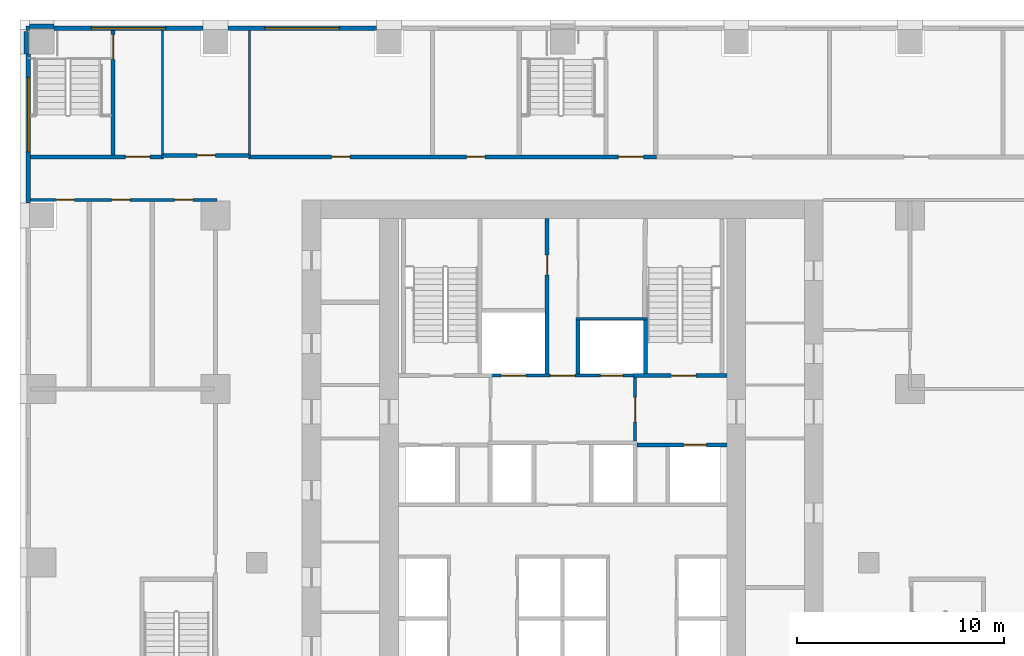
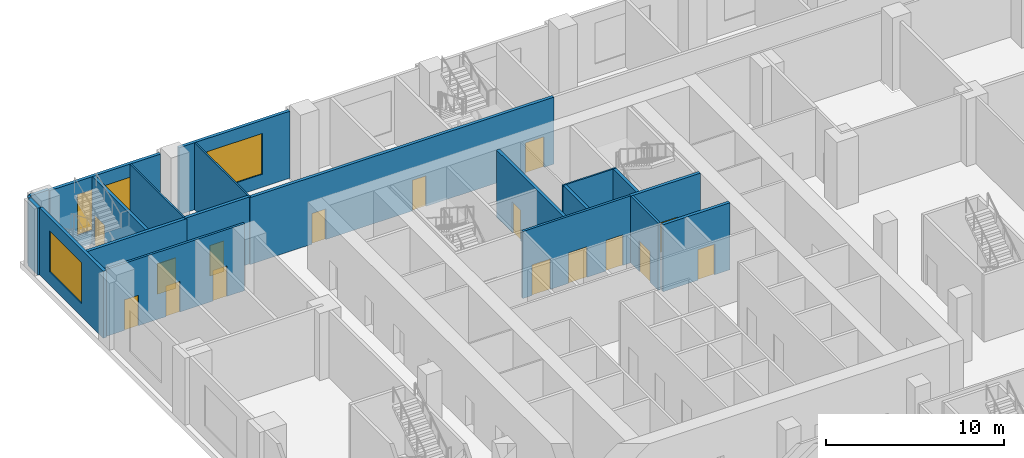
# One storey, part 8 of 23: 21 walls, 16 doors, 3 windows, 19 openings.
"""IFC4 building model written with IfcOpenShell, lengths in metres."""

from ifc_helpers import new_model, si_unit, direction, frame, frame_2d, origin, place, context, subcontext, project, spatial, rectangle, extrude, material, layer, layer_set, type_object, element, fill, save


model = new_model("IFC4")

# Units and contexts
model_context = context("Model", 3, precision=1e-05, world=origin(), true_north=direction((0.0, 1.0)))
body_context = subcontext(model_context, "Body", "Model", "MODEL_VIEW")
ifc_project = project(units=[si_unit("LENGTHUNIT", "METRE"), si_unit("AREAUNIT", "SQUARE_METRE"), si_unit("VOLUMEUNIT", "CUBIC_METRE"), si_unit("PLANEANGLEUNIT", "RADIAN"), si_unit("MASSUNIT", "GRAM", prefix="KILO")], contexts=[model_context])

# Site, building, storey
site_placement = place(None, origin())
site = spatial("IfcSite", under=ifc_project, at=site_placement, CompositionType="ELEMENT")
building_placement = place(site_placement, origin())
building = spatial("IfcBuilding", under=site, at=building_placement, Name="Vermilion Ogive Tower", CompositionType="ELEMENT")
storey_placement = place(building_placement, frame((0.0, 0.0, 20.0)))
storey = spatial("IfcBuildingStorey", under=building, at=storey_placement, Name="L03", CompositionType="ELEMENT", Elevation=20.0)

# Walls
ifc_material_1 = material(Name="Gypsum board partition on steel studs", Category="steel")
ifc_layer_1 = layer(ifc_material_1, 0.10009765625)
ifc_layer_set_1 = layer_set([ifc_layer_1], Name="Partition 100 bath")
wall_type_1 = type_object("IfcWallType", Name="Partition 100 bath", PredefinedType="PARTITIONING", material=ifc_layer_set_1)
for number, where, z_axis, x_axis, name in (
    (1, (-19.35009765625, 23.925048828125, 0.0), (0.0, 0.0, 1.0), (0.0, 1.0, 0.0), "L03-FS-W-W047"),
    (2, (-15.14990234375, 23.925048828125, 0.0), (0.0, 0.0, 1.0), (0.0, 1.0, 0.0), "L03-FS-W-W054"),
):
    element("IfcWall", number, at=place(storey_placement, frame(where, z_axis=z_axis, x_axis=x_axis)), inside=storey, type_object=wall_type_1, Name=name, PredefinedType="PARTITIONING", context=body_context, shape_type="SweptSolid", body=[
        extrude(rectangle(XDim=6.02490234375, YDim=0.10009765625, at=frame_2d((3.012451171875, 0.0))), origin(), (0.0, 0.0, 1.0), 4.60009765625),
    ])
wall_1_placement = place(storey_placement, frame((0.64990234375, 16.0, 0.0), z_axis=(0.0, 0.0, 1.0), x_axis=(1.0, 0.0, 0.0)))
element("IfcWall", 3, at=wall_1_placement, inside=storey, type_object=wall_type_1, Name="L03-CK-W-W020", PredefinedType="PARTITIONING", context=body_context, shape_type="SweptSolid", body=[
    extrude(rectangle(XDim=3.4501953125, YDim=0.10009765625, at=frame_2d((1.72509765625, 0.0))), origin(), (0.0, 0.0, 1.0), 4.60009765625),
])

# Wall, openings, doors
ifc_material_2 = material(Name="Gypsum board partition on steel studs", Category="steel")
ifc_layer_2 = layer(ifc_material_2, 0.14990234375)
ifc_layer_set_2 = layer_set([ifc_layer_2], Name="Partition 150 corridor")
wall_type_2 = type_object("IfcWallType", Name="Partition 150 corridor", PredefinedType="PARTITIONING", material=ifc_layer_set_2)
wall_2_placement = place(storey_placement, frame((-25.75, 21.75, 0.0), z_axis=(0.0, 0.0, 1.0), x_axis=(1.0, 0.0, 0.0)))
wall_2 = element("IfcWall", 4, at=wall_2_placement, inside=storey, type_object=wall_type_2, Name="L03-FS-W-W033", PredefinedType="PARTITIONING", context=body_context, shape_type="SweptSolid", body=[
    extrude(rectangle(XDim=9.02490234375, YDim=0.14990234375, at=frame_2d((4.512451171875, 0.0))), origin(), (0.0, 0.0, 1.0), 4.60009765625),
])
opening_1_placement = place(wall_2_placement, frame((1.22509765625, 0.0, 0.0)))
opening_1 = element("IfcOpeningElement", 5, at=opening_1_placement, cuts=wall_2, Name="Opening L03S019", PredefinedType="OPENING", context=body_context, shape_type="SweptSolid", body=[
    extrude(rectangle(XDim=0.89990234375, YDim=2.10009765625, at=frame_2d((0.449951171875, 1.050048828125))), frame((0.0, 0.0849609375, 0.0), z_axis=(0.0, -1.0, 0.0), x_axis=(1.0, 0.0, 0.0)), (0.0, 0.0, 1.0), 0.169921875),
])
opening_2_placement = place(wall_2_placement, frame((3.925048828125, 0.0, 0.0)))
opening_2 = element("IfcOpeningElement", 6, at=opening_2_placement, cuts=wall_2, Name="Opening L03S020", PredefinedType="OPENING", context=body_context, shape_type="SweptSolid", body=[
    extrude(rectangle(XDim=0.89990234375, YDim=2.10009765625, at=frame_2d((0.449951171875, 1.050048828125))), frame((0.0, 0.0849609375, 0.0), z_axis=(0.0, -1.0, 0.0), x_axis=(1.0, 0.0, 0.0)), (0.0, 0.0, 1.0), 0.169921875),
])
opening_3_placement = place(wall_2_placement, frame((6.97509765625, 0.0, 0.0)))
opening_3 = element("IfcOpeningElement", 7, at=opening_3_placement, cuts=wall_2, Name="Opening L03S021", PredefinedType="OPENING", context=body_context, shape_type="SweptSolid", body=[
    extrude(rectangle(XDim=0.89990234375, YDim=2.10009765625, at=frame_2d((0.449951171875, 1.050048828125))), frame((0.0, 0.0849609375, 0.0), z_axis=(0.0, -1.0, 0.0), x_axis=(1.0, 0.0, 0.0)), (0.0, 0.0, 1.0), 0.169921875),
])
ifc_material_3 = material(Name="Timber door leaf", Category="wood")
door_type_1 = type_object("IfcDoorType", Name="Room door 900 x 2100 FD30", OperationType="SINGLE_SWING_LEFT", PredefinedType="DOOR", material=ifc_material_3)
door_1_placement = place(opening_1_placement, origin())
door_1 = element("IfcDoor", 8, at=door_1_placement, inside=storey, type_object=door_type_1, Name="L03-FS-D-D019", OperationType="SINGLE_SWING_RIGHT", OverallHeight=2.10009765625, OverallWidth=0.89990234375, PredefinedType="DOOR", context=body_context, shape_type="SweptSolid", body=[
    extrude(rectangle(XDim=0.89990234375, YDim=2.10009765625, at=frame_2d((0.449951171875, 1.050048828125))), frame((0.0, 0.02490234375, 0.0), z_axis=(0.0, -1.0, 0.0), x_axis=(1.0, 0.0, 0.0)), (0.0, 0.0, 1.0), 0.050048828125),
])
fill(opening_1, door_1)
door_2_placement = place(opening_2_placement, origin())
door_2 = element("IfcDoor", 9, at=door_2_placement, inside=storey, type_object=door_type_1, Name="L03-FS-D-D020", OperationType="SINGLE_SWING_RIGHT", OverallHeight=2.10009765625, OverallWidth=0.89990234375, PredefinedType="DOOR", context=body_context, shape_type="SweptSolid", body=[
    extrude(rectangle(XDim=0.89990234375, YDim=2.10009765625, at=frame_2d((0.449951171875, 1.050048828125))), frame((0.0, 0.02490234375, 0.0), z_axis=(0.0, -1.0, 0.0), x_axis=(1.0, 0.0, 0.0)), (0.0, 0.0, 1.0), 0.050048828125),
])
fill(opening_2, door_2)
door_3_placement = place(opening_3_placement, origin())
door_3 = element("IfcDoor", 10, at=door_3_placement, inside=storey, type_object=door_type_1, Name="L03-FS-D-D021", OperationType="SINGLE_SWING_RIGHT", OverallHeight=2.10009765625, OverallWidth=0.89990234375, PredefinedType="DOOR", context=body_context, shape_type="SweptSolid", body=[
    extrude(rectangle(XDim=0.89990234375, YDim=2.10009765625, at=frame_2d((0.449951171875, 1.050048828125))), frame((0.0, 0.02490234375, 0.0), z_axis=(0.0, -1.0, 0.0), x_axis=(1.0, 0.0, 0.0)), (0.0, 0.0, 1.0), 0.050048828125),
])
fill(opening_3, door_3)

wall_3_placement = place(storey_placement, frame((-3.574951171875, 13.25, 0.0), z_axis=(0.0, 0.0, 1.0), x_axis=(1.0, 0.0, 0.0)))
wall_3 = element("IfcWall", 11, at=wall_3_placement, inside=storey, type_object=wall_type_2, Name="L03-CK-W-W018", PredefinedType="PARTITIONING", context=body_context, shape_type="SweptSolid", body=[
    extrude(rectangle(XDim=7.14990234375, YDim=0.14990234375, at=frame_2d((3.574951171875, 0.0))), origin(), (0.0, 0.0, 1.0), 4.60009765625),
])
opening_4_placement = place(wall_3_placement, frame((0.599853515625, 0.0, 0.0)))
opening_4 = element("IfcOpeningElement", 12, at=opening_4_placement, cuts=wall_3, Name="Opening DAB100", PredefinedType="OPENING", context=body_context, shape_type="SweptSolid", body=[
    extrude(rectangle(XDim=1.199951171875, YDim=2.10009765625, at=frame_2d((0.60009765625, 1.050048828125))), frame((0.0, 0.0849609375, 0.0), z_axis=(0.0, -1.0, 0.0), x_axis=(1.0, 0.0, 0.0)), (0.0, 0.0, 1.0), 0.169921875),
])
opening_5_placement = place(wall_3_placement, frame((5.39990234375, 0.0, 0.0)))
opening_5 = element("IfcOpeningElement", 13, at=opening_5_placement, cuts=wall_3, Name="Opening DAB091", PredefinedType="OPENING", context=body_context, shape_type="SweptSolid", body=[
    extrude(rectangle(XDim=1.10009765625, YDim=2.10009765625, at=frame_2d((0.550048828125, 1.050048828125))), frame((0.0, 0.0849609375, 0.0), z_axis=(0.0, -1.0, 0.0), x_axis=(1.0, 0.0, 0.0)), (0.0, 0.0, 1.0), 0.169921875),
])
opening_6_placement = place(wall_3_placement, frame((2.974853515625, 0.0, 0.0)))
opening_6 = element("IfcOpeningElement", 14, at=opening_6_placement, cuts=wall_3, Name="Opening DAB082", PredefinedType="OPENING", context=body_context, shape_type="SweptSolid", body=[
    extrude(rectangle(XDim=1.199951171875, YDim=2.10009765625, at=frame_2d((0.60009765625, 1.050048828125))), frame((0.0, 0.0849609375, 0.0), z_axis=(0.0, -1.0, 0.0), x_axis=(1.0, 0.0, 0.0)), (0.0, 0.0, 1.0), 0.169921875),
])
ifc_material_4 = material(Name="Stainless steel", Category="steel")
door_type_2 = type_object("IfcDoorType", Name="Lift landing door 1100 x 2100", OperationType="SLIDING_TO_LEFT", PredefinedType="DOOR", material=ifc_material_4)
door_4_placement = place(opening_5_placement, origin())
door_4 = element("IfcDoor", 15, at=door_4_placement, inside=storey, type_object=door_type_2, Name="L03-CK-D-D018", OperationType="SLIDING_TO_LEFT", OverallHeight=2.10009765625, OverallWidth=1.10009765625, PredefinedType="DOOR", context=body_context, shape_type="SweptSolid", body=[
    extrude(rectangle(XDim=1.10009765625, YDim=2.10009765625, at=frame_2d((0.550048828125, 1.050048828125))), frame((0.0, 0.02490234375, 0.0), z_axis=(0.0, -1.0, 0.0), x_axis=(1.0, 0.0, 0.0)), (0.0, 0.0, 1.0), 0.050048828125),
])
fill(opening_5, door_4)
ifc_material_5 = material(Name="Stainless steel", Category="steel")
door_type_3 = type_object("IfcDoorType", Name="Lift landing door 1200 x 2100", OperationType="SLIDING_TO_LEFT", PredefinedType="DOOR", material=ifc_material_5)
door_5_placement = place(opening_4_placement, origin())
door_5 = element("IfcDoor", 16, at=door_5_placement, inside=storey, type_object=door_type_3, Name="L03-CK-D-D017", OperationType="SLIDING_TO_RIGHT", OverallHeight=2.10009765625, OverallWidth=1.199951171875, PredefinedType="DOOR", context=body_context, shape_type="SweptSolid", body=[
    extrude(rectangle(XDim=1.199951171875, YDim=2.10009765625, at=frame_2d((0.60009765625, 1.050048828125))), frame((0.0, 0.02490234375, 0.0), z_axis=(0.0, -1.0, 0.0), x_axis=(1.0, 0.0, 0.0)), (0.0, 0.0, 1.0), 0.050048828125),
])
fill(opening_4, door_5)
ifc_material_6 = material(Name="Timber door leaf", Category="wood")
door_type_4 = type_object("IfcDoorType", Name="Service door 1200 x 2100 FD60", OperationType="SINGLE_SWING_LEFT", PredefinedType="DOOR", material=ifc_material_6)
door_6_placement = place(opening_6_placement, origin())
door_6 = element("IfcDoor", 17, at=door_6_placement, inside=storey, type_object=door_type_4, Name="L03-CK-D-D019", OperationType="SINGLE_SWING_RIGHT", OverallHeight=2.10009765625, OverallWidth=1.199951171875, PredefinedType="DOOR", context=body_context, shape_type="SweptSolid", body=[
    extrude(rectangle(XDim=1.199951171875, YDim=2.10009765625, at=frame_2d((0.60009765625, 1.050048828125))), frame((0.0, 0.02490234375, 0.0), z_axis=(0.0, -1.0, 0.0), x_axis=(1.0, 0.0, 0.0)), (0.0, 0.0, 1.0), 0.050048828125),
])
fill(opening_6, door_6)

# Wall, opening, door
wall_4_placement = place(storey_placement, frame((3.5, 10.074951171875, 0.0), z_axis=(0.0, 0.0, 1.0), x_axis=(0.0, 1.0, 0.0)))
wall_4 = element("IfcWall", 18, at=wall_4_placement, inside=storey, type_object=wall_type_2, Name="L03-CK-W-W036", PredefinedType="PARTITIONING", context=body_context, shape_type="SweptSolid", body=[
    extrude(rectangle(XDim=3.074951171875, YDim=0.14990234375, at=frame_2d((1.53759765625, 0.0))), origin(), (0.0, 0.0, 1.0), 4.60009765625),
])
opening_7_placement = place(wall_4_placement, frame((0.925048828125, 0.0, 0.0)))
opening_7 = element("IfcOpeningElement", 19, at=opening_7_placement, cuts=wall_4, Name="Opening DAB079", PredefinedType="OPENING", context=body_context, shape_type="SweptSolid", body=[
    extrude(rectangle(XDim=1.199951171875, YDim=2.10009765625, at=frame_2d((0.60009765625, 1.050048828125))), frame((0.0, 0.0849609375, 0.0), z_axis=(0.0, -1.0, 0.0), x_axis=(1.0, 0.0, 0.0)), (0.0, 0.0, 1.0), 0.169921875),
])
ifc_material_7 = material(Name="Timber door leaf", Category="wood")
door_type_5 = type_object("IfcDoorType", Name="Lobby door 1200 x 2100 FD60S", OperationType="SINGLE_SWING_LEFT", PredefinedType="DOOR", material=ifc_material_7)
door_7_placement = place(opening_7_placement, origin())
door_7 = element("IfcDoor", 20, at=door_7_placement, inside=storey, type_object=door_type_5, Name="L03-CK-D-D023", OperationType="SINGLE_SWING_LEFT", OverallHeight=2.10009765625, OverallWidth=1.199951171875, PredefinedType="DOOR", context=body_context, shape_type="SweptSolid", body=[
    extrude(rectangle(XDim=1.199951171875, YDim=2.10009765625, at=frame_2d((0.60009765625, 1.050048828125))), frame((0.0, 0.02490234375, 0.0), z_axis=(0.0, -1.0, 0.0), x_axis=(1.0, 0.0, 0.0)), (0.0, 0.0, 1.0), 0.050048828125),
])
fill(opening_7, door_7)

ifc_material_8 = material(Name="Gypsum board partition on steel studs", Category="steel")
ifc_layer_3 = layer(ifc_material_8, 0.199951171875)
ifc_layer_set_3 = layer_set([ifc_layer_3], Name="Partition 200 party")
wall_type_3 = type_object("IfcWallType", Name="Partition 200 party", PredefinedType="PARTITIONING", material=ifc_layer_set_3)
wall_5_placement = place(storey_placement, frame((3.60009765625, 9.89990234375, 0.0), z_axis=(0.0, 0.0, 1.0), x_axis=(1.0, 0.0, 0.0)))
wall_5 = element("IfcWall", 21, at=wall_5_placement, inside=storey, type_object=wall_type_3, Name="L03-CK-W-W015", PredefinedType="PARTITIONING", context=body_context, shape_type="SweptSolid", body=[
    extrude(rectangle(XDim=4.348876953125, YDim=0.199951171875, at=frame_2d((2.17431640625, 0.0))), origin(), (0.0, 0.0, 1.0), 4.60009765625),
])
opening_8_placement = place(wall_5_placement, frame((2.25, 0.0, 0.0)))
opening_8 = element("IfcOpeningElement", 22, at=opening_8_placement, cuts=wall_5, Name="Opening DAB090", PredefinedType="OPENING", context=body_context, shape_type="SweptSolid", body=[
    extrude(rectangle(XDim=1.10009765625, YDim=2.10009765625, at=frame_2d((0.550048828125, 1.050048828125))), frame((0.0, 0.10986328125, 0.0), z_axis=(0.0, -1.0, 0.0), x_axis=(1.0, 0.0, 0.0)), (0.0, 0.0, 1.0), 0.219970703125),
])
door_8_placement = place(opening_8_placement, origin())
door_8 = element("IfcDoor", 23, at=door_8_placement, inside=storey, type_object=door_type_2, Name="L03-CK-D-D014", OperationType="SLIDING_TO_LEFT", OverallHeight=2.10009765625, OverallWidth=1.10009765625, PredefinedType="DOOR", context=body_context, shape_type="SweptSolid", body=[
    extrude(rectangle(XDim=1.10009765625, YDim=2.10009765625, at=frame_2d((0.550048828125, 1.050048828125))), frame((0.0, 0.02490234375, 0.0), z_axis=(0.0, -1.0, 0.0), x_axis=(1.0, 0.0, 0.0)), (0.0, 0.0, 1.0), 0.050048828125),
])
fill(opening_8, door_8)

wall_6_placement = place(storey_placement, frame((-0.75, 13.324951171875, 0.0), z_axis=(0.0, 0.0, 1.0), x_axis=(0.0, 1.0, 0.0)))
wall_6 = element("IfcWall", 24, at=wall_6_placement, inside=storey, type_object=wall_type_3, Name="L03-CK-W-W029", PredefinedType="PARTITIONING", context=body_context, shape_type="SweptSolid", body=[
    extrude(rectangle(XDim=7.524169921875, YDim=0.199951171875, at=frame_2d((3.76220703125, 0.0))), origin(), (0.0, 0.0, 1.0), 4.60009765625),
])
opening_9_placement = place(wall_6_placement, frame((4.800048828125, 0.0, 0.0)))
opening_9 = element("IfcOpeningElement", 25, at=opening_9_placement, cuts=wall_6, Name="Opening DAB083", PredefinedType="OPENING", context=body_context, shape_type="SweptSolid", body=[
    extrude(rectangle(XDim=0.949951171875, YDim=2.10009765625, at=frame_2d((0.47509765625, 1.050048828125))), frame((0.0, 0.10986328125, 0.0), z_axis=(0.0, -1.0, 0.0), x_axis=(1.0, 0.0, 0.0)), (0.0, 0.0, 1.0), 0.219970703125),
])
ifc_material_9 = material(Name="Timber door leaf", Category="wood")
door_type_6 = type_object("IfcDoorType", Name="Service door 950 x 2100 FD60", OperationType="SINGLE_SWING_LEFT", PredefinedType="DOOR", material=ifc_material_9)
door_9_placement = place(opening_9_placement, origin())
door_9 = element("IfcDoor", 26, at=door_9_placement, inside=storey, type_object=door_type_6, Name="L03-CK-D-D020", OperationType="SINGLE_SWING_RIGHT", OverallHeight=2.10009765625, OverallWidth=0.949951171875, PredefinedType="DOOR", context=body_context, shape_type="SweptSolid", body=[
    extrude(rectangle(XDim=0.949951171875, YDim=2.10009765625, at=frame_2d((0.47509765625, 1.050048828125))), frame((0.0, 0.02490234375, 0.0), z_axis=(0.0, -1.0, 0.0), x_axis=(1.0, 0.0, 0.0)), (0.0, 0.0, 1.0), 0.050048828125),
])
fill(opening_9, door_9)

# Wall
wall_7_placement = place(storey_placement, frame((0.75, 13.324951171875, 0.0), z_axis=(0.0, 0.0, 1.0), x_axis=(0.0, 1.0, 0.0)))
element("IfcWall", 27, at=wall_7_placement, inside=storey, type_object=wall_type_3, Name="L03-CK-W-W031", PredefinedType="PARTITIONING", context=body_context, shape_type="SweptSolid", body=[
    extrude(rectangle(XDim=2.625, YDim=0.199951171875, at=frame_2d((1.3125, 0.0))), origin(), (0.0, 0.0, 1.0), 4.60009765625),
])

# Wall, opening, door
ifc_material_10 = material(Name="Concrete B60", Category="concrete")
ifc_layer_4 = layer(ifc_material_10, 0.199951171875)
ifc_layer_set_4 = layer_set([ifc_layer_4], Name="Stair shaft wall 200 Concrete B60")
wall_type_4 = type_object("IfcWallType", Name="Stair shaft wall 200 Concrete B60", PredefinedType="SOLIDWALL", material=ifc_layer_set_4)
wall_8_placement = place(storey_placement, frame((-25.75, 23.8251953125, 0.0), z_axis=(0.0, 0.0, 1.0), x_axis=(1.0, 0.0, 0.0)))
wall_8 = element("IfcWall", 28, at=wall_8_placement, inside=storey, type_object=wall_type_4, Name="L03-FS-W-W039", PredefinedType="SOLIDWALL", context=body_context, shape_type="SweptSolid", body=[
    extrude(rectangle(XDim=6.449951171875, YDim=0.199951171875, at=frame_2d((3.22509765625, 0.0))), origin(), (0.0, 0.0, 1.0), 4.60009765625),
])
opening_10_placement = place(wall_8_placement, frame((4.60009765625, 0.0, 0.0)))
opening_10 = element("IfcOpeningElement", 29, at=opening_10_placement, cuts=wall_8, Name="Opening L03S010", PredefinedType="OPENING", context=body_context, shape_type="SweptSolid", body=[
    extrude(rectangle(XDim=1.199951171875, YDim=2.10009765625, at=frame_2d((0.60009765625, 1.050048828125))), frame((0.0, 0.10986328125, 0.0), z_axis=(0.0, -1.0, 0.0), x_axis=(1.0, 0.0, 0.0)), (0.0, 0.0, 1.0), 0.219970703125),
])
ifc_material_11 = material(Name="Timber door leaf", Category="wood")
door_type_7 = type_object("IfcDoorType", Name="Stair door 1200 x 2100 FD60S", OperationType="SINGLE_SWING_LEFT", PredefinedType="DOOR", material=ifc_material_11)
door_10_placement = place(opening_10_placement, origin())
door_10 = element("IfcDoor", 30, at=door_10_placement, inside=storey, type_object=door_type_7, Name="L03-FS-D-D010", OperationType="SINGLE_SWING_LEFT", OverallHeight=2.10009765625, OverallWidth=1.199951171875, PredefinedType="DOOR", context=body_context, shape_type="SweptSolid", body=[
    extrude(rectangle(XDim=1.199951171875, YDim=2.10009765625, at=frame_2d((0.60009765625, 1.050048828125))), frame((0.0, 0.02490234375, 0.0), z_axis=(0.0, -1.0, 0.0), x_axis=(1.0, 0.0, 0.0)), (0.0, 0.0, 1.0), 0.050048828125),
])
fill(opening_10, door_10)

wall_9_placement = place(storey_placement, frame((-19.39990234375, 23.900146484375, 0.0), z_axis=(0.0, 0.0, 1.0), x_axis=(1.0, 0.0, 0.0)))
wall_9 = element("IfcWall", 31, at=wall_9_placement, inside=storey, type_object=wall_type_4, Name="L03-FS-W-W040", PredefinedType="SOLIDWALL", context=body_context, shape_type="SweptSolid", body=[
    extrude(rectangle(XDim=4.2998046875, YDim=0.199951171875, at=frame_2d((2.14990234375, 0.0))), origin(), (0.0, 0.0, 1.0), 4.60009765625),
])
opening_11_placement = place(wall_9_placement, frame((1.699951171875, 0.0, 0.0)))
opening_11 = element("IfcOpeningElement", 32, at=opening_11_placement, cuts=wall_9, Name="Opening L03S046", PredefinedType="OPENING", context=body_context, shape_type="SweptSolid", body=[
    extrude(rectangle(XDim=0.89990234375, YDim=2.10009765625, at=frame_2d((0.449951171875, 1.050048828125))), frame((0.0, 0.10986328125, 0.0), z_axis=(0.0, -1.0, 0.0), x_axis=(1.0, 0.0, 0.0)), (0.0, 0.0, 1.0), 0.219970703125),
])
door_11_placement = place(opening_11_placement, origin())
door_11 = element("IfcDoor", 33, at=door_11_placement, inside=storey, type_object=door_type_1, Name="L03-FS-D-D046", OperationType="SINGLE_SWING_RIGHT", OverallHeight=2.10009765625, OverallWidth=0.89990234375, PredefinedType="DOOR", context=body_context, shape_type="SweptSolid", body=[
    extrude(rectangle(XDim=0.89990234375, YDim=2.10009765625, at=frame_2d((0.449951171875, 1.050048828125))), frame((0.0, 0.02490234375, 0.0), z_axis=(0.0, -1.0, 0.0), x_axis=(1.0, 0.0, 0.0)), (0.0, 0.0, 1.0), 0.050048828125),
])
fill(opening_11, door_11)

# Wall, openings, doors
wall_10_placement = place(storey_placement, frame((-15.199951171875, 23.8251953125, 0.0), z_axis=(0.0, 0.0, 1.0), x_axis=(1.0, 0.0, 0.0)))
wall_10 = element("IfcWall", 34, at=wall_10_placement, inside=storey, type_object=wall_type_4, Name="L03-FS-W-W041", PredefinedType="SOLIDWALL", context=body_context, shape_type="SweptSolid", body=[
    extrude(rectangle(XDim=19.75, YDim=0.199951171875, at=frame_2d((9.875, 0.0))), origin(), (0.0, 0.0, 1.0), 4.60009765625),
])
opening_12_placement = place(wall_10_placement, frame((17.89990234375, 0.0, 0.0)))
opening_12 = element("IfcOpeningElement", 35, at=opening_12_placement, cuts=wall_10, Name="Opening L03S014", PredefinedType="OPENING", context=body_context, shape_type="SweptSolid", body=[
    extrude(rectangle(XDim=1.199951171875, YDim=2.10009765625, at=frame_2d((0.60009765625, 1.050048828125))), frame((0.0, 0.10986328125, 0.0), z_axis=(0.0, -1.0, 0.0), x_axis=(1.0, 0.0, 0.0)), (0.0, 0.0, 1.0), 0.219970703125),
])
opening_13_placement = place(wall_10_placement, frame((4.02490234375, 0.0, 0.0)))
opening_13 = element("IfcOpeningElement", 36, at=opening_13_placement, cuts=wall_10, Name="Opening L03S047", PredefinedType="OPENING", context=body_context, shape_type="SweptSolid", body=[
    extrude(rectangle(XDim=0.89990234375, YDim=2.10009765625, at=frame_2d((0.449951171875, 1.050048828125))), frame((0.0, 0.10986328125, 0.0), z_axis=(0.0, -1.0, 0.0), x_axis=(1.0, 0.0, 0.0)), (0.0, 0.0, 1.0), 0.219970703125),
])
opening_14_placement = place(wall_10_placement, frame((10.550048828125, 0.0, 0.0)))
opening_14 = element("IfcOpeningElement", 37, at=opening_14_placement, cuts=wall_10, Name="Opening L03S048", PredefinedType="OPENING", context=body_context, shape_type="SweptSolid", body=[
    extrude(rectangle(XDim=0.89990234375, YDim=2.10009765625, at=frame_2d((0.449951171875, 1.050048828125))), frame((0.0, 0.10986328125, 0.0), z_axis=(0.0, -1.0, 0.0), x_axis=(1.0, 0.0, 0.0)), (0.0, 0.0, 1.0), 0.219970703125),
])
door_12_placement = place(opening_13_placement, origin())
door_12 = element("IfcDoor", 38, at=door_12_placement, inside=storey, type_object=door_type_1, Name="L03-FS-D-D047", OperationType="SINGLE_SWING_LEFT", OverallHeight=2.10009765625, OverallWidth=0.89990234375, PredefinedType="DOOR", context=body_context, shape_type="SweptSolid", body=[
    extrude(rectangle(XDim=0.89990234375, YDim=2.10009765625, at=frame_2d((0.449951171875, 1.050048828125))), frame((0.0, 0.02490234375, 0.0), z_axis=(0.0, -1.0, 0.0), x_axis=(1.0, 0.0, 0.0)), (0.0, 0.0, 1.0), 0.050048828125),
])
fill(opening_13, door_12)
door_13_placement = place(opening_14_placement, origin())
door_13 = element("IfcDoor", 39, at=door_13_placement, inside=storey, type_object=door_type_1, Name="L03-FS-D-D048", OperationType="SINGLE_SWING_RIGHT", OverallHeight=2.10009765625, OverallWidth=0.89990234375, PredefinedType="DOOR", context=body_context, shape_type="SweptSolid", body=[
    extrude(rectangle(XDim=0.89990234375, YDim=2.10009765625, at=frame_2d((0.449951171875, 1.050048828125))), frame((0.0, 0.02490234375, 0.0), z_axis=(0.0, -1.0, 0.0), x_axis=(1.0, 0.0, 0.0)), (0.0, 0.0, 1.0), 0.050048828125),
])
fill(opening_14, door_13)
door_14_placement = place(opening_12_placement, origin())
door_14 = element("IfcDoor", 40, at=door_14_placement, inside=storey, type_object=door_type_7, Name="L03-FS-D-D014", OperationType="SINGLE_SWING_RIGHT", OverallHeight=2.10009765625, OverallWidth=1.199951171875, PredefinedType="DOOR", context=body_context, shape_type="SweptSolid", body=[
    extrude(rectangle(XDim=1.199951171875, YDim=2.10009765625, at=frame_2d((0.60009765625, 1.050048828125))), frame((0.0, 0.02490234375, 0.0), z_axis=(0.0, -1.0, 0.0), x_axis=(1.0, 0.0, 0.0)), (0.0, 0.0, 1.0), 0.050048828125),
])
fill(opening_12, door_14)

# Wall, opening, door
wall_11_placement = place(storey_placement, frame((-21.75, 23.925048828125, 0.0), z_axis=(0.0, 0.0, 1.0), x_axis=(0.0, 1.0, 0.0)))
wall_11 = element("IfcWall", 41, at=wall_11_placement, inside=storey, type_object=wall_type_4, Name="L03-FS-W-W045", PredefinedType="SOLIDWALL", context=body_context, shape_type="SweptSolid", body=[
    extrude(rectangle(XDim=6.02490234375, YDim=0.199951171875, at=frame_2d((3.012451171875, 0.0))), origin(), (0.0, 0.0, 1.0), 4.60009765625),
])
opening_15_placement = place(wall_11_placement, frame((4.625, 0.0, 0.0)))
opening_15 = element("IfcOpeningElement", 42, at=opening_15_placement, cuts=wall_11, Name="Opening L03S001", PredefinedType="OPENING", context=body_context, shape_type="SweptSolid", body=[
    extrude(rectangle(XDim=1.199951171875, YDim=2.10009765625, at=frame_2d((0.60009765625, 1.050048828125))), frame((0.0, 0.10986328125, 0.0), z_axis=(0.0, -1.0, 0.0), x_axis=(1.0, 0.0, 0.0)), (0.0, 0.0, 1.0), 0.219970703125),
])
door_15_placement = place(opening_15_placement, origin())
door_15 = element("IfcDoor", 43, at=door_15_placement, inside=storey, type_object=door_type_7, Name="L03-FS-D-D001", OperationType="DOUBLE_DOOR_SINGLE_SWING", OverallHeight=2.10009765625, OverallWidth=1.199951171875, PredefinedType="DOOR", context=body_context, shape_type="SweptSolid", body=[
    extrude(rectangle(XDim=1.199951171875, YDim=2.10009765625, at=frame_2d((0.60009765625, 1.050048828125))), frame((0.0, 0.02490234375, 0.0), z_axis=(0.0, -1.0, 0.0), x_axis=(1.0, 0.0, 0.0)), (0.0, 0.0, 1.0), 0.050048828125),
])
fill(opening_15, door_15)

# Wall, opening, window
wall_12_placement = place(storey_placement, frame((-24.60009765625, 30.050048828125, 0.0), z_axis=(0.0, 0.0, 1.0), x_axis=(1.0, 0.0, 0.0)))
wall_12 = element("IfcWall", 44, at=wall_12_placement, inside=storey, type_object=wall_type_4, Name="Window wall N9", PredefinedType="SOLIDWALL", context=body_context, shape_type="SweptSolid", body=[
    extrude(rectangle(XDim=7.2001953125, YDim=0.199951171875, at=frame_2d((3.60009765625, 0.0))), origin(), (0.0, 0.0, 1.0), 4.60009765625),
])
opening_16_placement = place(wall_12_placement, frame((1.800048828125, 0.0, 0.89990234375)))
opening_16 = element("IfcOpeningElement", 45, at=opening_16_placement, cuts=wall_12, Name="Opening P-N9", PredefinedType="OPENING", context=body_context, shape_type="SweptSolid", body=[
    extrude(rectangle(XDim=3.60009765625, YDim=2.800048828125, at=frame_2d((1.800048828125, 1.39990234375))), frame((0.0, 0.10986328125, 0.0), z_axis=(0.0, -1.0, 0.0), x_axis=(1.0, 0.0, 0.0)), (0.0, 0.0, 1.0), 0.219970703125),
])
ifc_material_12 = material(Name="Aluminium framed double glazing", Category="aluminium")
window_type = type_object("IfcWindowType", Name="Podium window P 3600x2800 sill 900", PartitioningType="SINGLE_PANEL", PredefinedType="WINDOW", material=ifc_material_12)
window_1_placement = place(opening_16_placement, origin())
window_1 = element("IfcWindow", 46, at=window_1_placement, inside=storey, type_object=window_type, Name="Window N9", OverallHeight=2.800048828125, OverallWidth=3.60009765625, PartitioningType="SINGLE_PANEL", PredefinedType="WINDOW", context=body_context, shape_type="SweptSolid", body=[
    extrude(rectangle(XDim=3.60009765625, YDim=2.800048828125, at=frame_2d((1.800048828125, 1.39990234375))), frame((0.0, 0.030029296875, 0.0), z_axis=(0.0, -1.0, 0.0), x_axis=(1.0, 0.0, 0.0)), (0.0, 0.0, 1.0), 0.06005859375),
])
fill(opening_16, window_1)

wall_13_placement = place(storey_placement, frame((-25.85009765625, 21.60009765625, 0.0), z_axis=(0.0, 0.0, 1.0), x_axis=(0.0, 1.0, 0.0)))
wall_13 = element("IfcWall", 47, at=wall_13_placement, inside=storey, type_object=wall_type_4, Name="Window wall W1", PredefinedType="SOLIDWALL", context=body_context, shape_type="SweptSolid", body=[
    extrude(rectangle(XDim=7.199951171875, YDim=0.199951171875, at=frame_2d((3.60009765625, 0.0))), origin(), (0.0, 0.0, 1.0), 4.60009765625),
])
opening_17_placement = place(wall_13_placement, frame((2.469970703125, 0.0, 0.89990234375)))
opening_17 = element("IfcOpeningElement", 48, at=opening_17_placement, cuts=wall_13, Name="Opening P-W1", PredefinedType="OPENING", context=body_context, shape_type="SweptSolid", body=[
    extrude(rectangle(XDim=3.60009765625, YDim=2.800048828125, at=frame_2d((1.800048828125, 1.39990234375))), frame((0.0, 0.10986328125, 0.0), z_axis=(0.0, -1.0, 0.0), x_axis=(1.0, 0.0, 0.0)), (0.0, 0.0, 1.0), 0.219970703125),
])
window_2_placement = place(opening_17_placement, origin())
window_2 = element("IfcWindow", 49, at=window_2_placement, inside=storey, type_object=window_type, Name="Window W1", OverallHeight=2.800048828125, OverallWidth=3.60009765625, PartitioningType="SINGLE_PANEL", PredefinedType="WINDOW", context=body_context, shape_type="SweptSolid", body=[
    extrude(rectangle(XDim=3.60009765625, YDim=2.800048828125, at=frame_2d((1.800048828125, 1.39990234375))), frame((0.0, 0.030029296875, 0.0), z_axis=(0.0, -1.0, 0.0), x_axis=(1.0, 0.0, 0.0)), (0.0, 0.0, 1.0), 0.06005859375),
])
fill(opening_17, window_2)

# Wall, opening, door
wall_14_placement = place(storey_placement, frame((3.425048828125, 13.25, 0.0), z_axis=(0.0, 0.0, 1.0), x_axis=(1.0, 0.0, 0.0)))
wall_14 = element("IfcWall", 50, at=wall_14_placement, inside=storey, type_object=wall_type_4, Name="L03-CK-W-W019", PredefinedType="SOLIDWALL", context=body_context, shape_type="SweptSolid", body=[
    extrude(rectangle(XDim=4.52392578125, YDim=0.199951171875, at=frame_2d((2.261962890625, 0.0))), origin(), (0.0, 0.0, 1.0), 4.60009765625),
])
opening_18_placement = place(wall_14_placement, frame((1.824951171875, 0.0, 0.0)))
opening_18 = element("IfcOpeningElement", 51, at=opening_18_placement, cuts=wall_14, Name="Opening DAB086", PredefinedType="OPENING", context=body_context, shape_type="SweptSolid", body=[
    extrude(rectangle(XDim=1.199951171875, YDim=2.10009765625, at=frame_2d((0.60009765625, 1.050048828125))), frame((0.0, 0.10986328125, 0.0), z_axis=(0.0, -1.0, 0.0), x_axis=(1.0, 0.0, 0.0)), (0.0, 0.0, 1.0), 0.219970703125),
])
door_16_placement = place(opening_18_placement, origin())
door_16 = element("IfcDoor", 52, at=door_16_placement, inside=storey, type_object=door_type_7, Name="L03-CK-D-D013", OperationType="SINGLE_SWING_RIGHT", OverallHeight=2.10009765625, OverallWidth=1.199951171875, PredefinedType="DOOR", context=body_context, shape_type="SweptSolid", body=[
    extrude(rectangle(XDim=1.199951171875, YDim=2.10009765625, at=frame_2d((0.60009765625, 1.050048828125))), frame((0.0, 0.02490234375, 0.0), z_axis=(0.0, -1.0, 0.0), x_axis=(1.0, 0.0, 0.0)), (0.0, 0.0, 1.0), 0.050048828125),
])
fill(opening_18, door_16)

# Walls
wall_15_placement = place(storey_placement, frame((4.0, 13.35009765625, 0.0), z_axis=(0.0, 0.0, 1.0), x_axis=(0.0, 1.0, 0.0)))
element("IfcWall", 53, at=wall_15_placement, inside=storey, type_object=wall_type_4, Name="L03-CK-W-W037", PredefinedType="SOLIDWALL", context=body_context, shape_type="SweptSolid", body=[
    extrude(rectangle(XDim=2.599853515625, YDim=0.199951171875, at=frame_2d((1.2998046875, 0.0))), origin(), (0.0, 0.0, 1.0), 4.60009765625),
])
wall_16_placement = place(storey_placement, frame((-25.949951171875, 28.800048828125, 0.0), z_axis=(0.0, 0.0, 1.0), x_axis=(0.0, 1.0, 0.0)))
element("IfcWall", 54, at=wall_16_placement, inside=storey, type_object=wall_type_4, Name="L03-SW-R001-W1", PredefinedType="SOLIDWALL", context=body_context, shape_type="SweptSolid", body=[
    extrude(rectangle(XDim=1.099853515625, YDim=0.199951171875, at=frame_2d((0.5498046875, 0.0))), origin(), (0.0, 0.0, 1.0), 4.60009765625),
])
wall_17_placement = place(storey_placement, frame((-25.800048828125, 30.14990234375, 0.0), z_axis=(0.0, 0.0, 1.0), x_axis=(1.0, 0.0, 0.0)))
element("IfcWall", 55, at=wall_17_placement, inside=storey, type_object=wall_type_4, Name="L03-SW-R001-N1", PredefinedType="SOLIDWALL", context=body_context, shape_type="SweptSolid", body=[
    extrude(rectangle(XDim=1.199951171875, YDim=0.199951171875, at=frame_2d((0.60009765625, 0.0))), origin(), (0.0, 0.0, 1.0), 4.60009765625),
])

# Wall, opening, window
ifc_material_13 = material(Name="Aluminium window wall framing", Category="aluminium")
ifc_layer_5 = layer(ifc_material_13, 0.199951171875)
ifc_layer_set_5 = layer_set([ifc_layer_5], Name="Window wall")
wall_type_5 = type_object("IfcWallType", Name="Window wall", PredefinedType="STANDARD", material=ifc_layer_set_5)
wall_18_placement = place(storey_placement, frame((-9.0, 30.050048828125, 0.0), z_axis=(0.0, 0.0, 1.0), x_axis=(-1.0, 0.0, 0.0)))
wall_18 = element("IfcWall", 56, at=wall_18_placement, inside=storey, type_object=wall_type_5, Name="Window wall N8", PredefinedType="STANDARD", context=body_context, shape_type="SweptSolid", body=[
    extrude(rectangle(XDim=7.199951171875, YDim=0.199951171875, at=frame_2d((3.60009765625, 0.0))), origin(), (0.0, 0.0, 1.0), 4.60009765625),
])
opening_19_placement = place(wall_18_placement, frame((1.800048828125, 0.0, 0.89990234375)))
opening_19 = element("IfcOpeningElement", 57, at=opening_19_placement, cuts=wall_18, Name="Opening P-N8", PredefinedType="OPENING", context=body_context, shape_type="SweptSolid", body=[
    extrude(rectangle(XDim=3.60009765625, YDim=2.800048828125, at=frame_2d((1.800048828125, 1.39990234375))), frame((0.0, 0.10986328125, 0.0), z_axis=(0.0, -1.0, 0.0), x_axis=(1.0, 0.0, 0.0)), (0.0, 0.0, 1.0), 0.219970703125),
])
window_3_placement = place(opening_19_placement, origin())
window_3 = element("IfcWindow", 58, at=window_3_placement, inside=storey, type_object=window_type, Name="Window N8", OverallHeight=2.800048828125, OverallWidth=3.60009765625, PartitioningType="SINGLE_PANEL", PredefinedType="WINDOW", context=body_context, shape_type="SweptSolid", body=[
    extrude(rectangle(XDim=3.60009765625, YDim=2.800048828125, at=frame_2d((1.800048828125, 1.39990234375))), frame((0.0, 0.030029296875, 0.0), z_axis=(0.0, -1.0, 0.0), x_axis=(1.0, 0.0, 0.0)), (0.0, 0.0, 1.0), 0.06005859375),
])
fill(opening_19, window_3)

# Wall
wall_19_placement = place(storey_placement, frame((-25.800048828125, 30.050048828125, 0.0), z_axis=(0.0, 0.0, 1.0), x_axis=(-1.0, 0.0, 0.0)))
element("IfcWall", 59, at=wall_19_placement, inside=storey, type_object=wall_type_5, Name="Window wall N10", PredefinedType="STANDARD", context=body_context, shape_type="SweptSolid", body=[
    extrude(rectangle(XDim=0.14990234375, YDim=0.199951171875, at=frame_2d((0.074951171875, 0.0))), origin(), (0.0, 0.0, 1.0), 4.60009765625),
])

save(model, "model.ifc")
